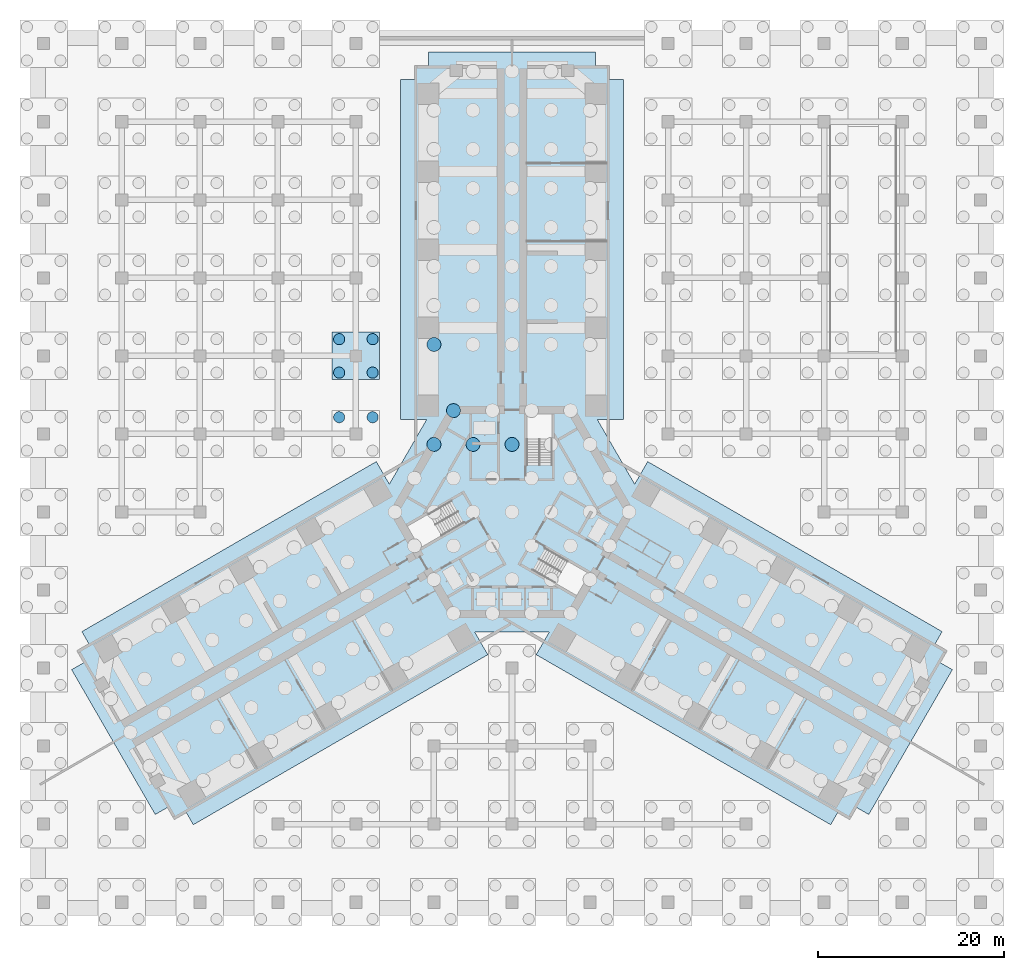
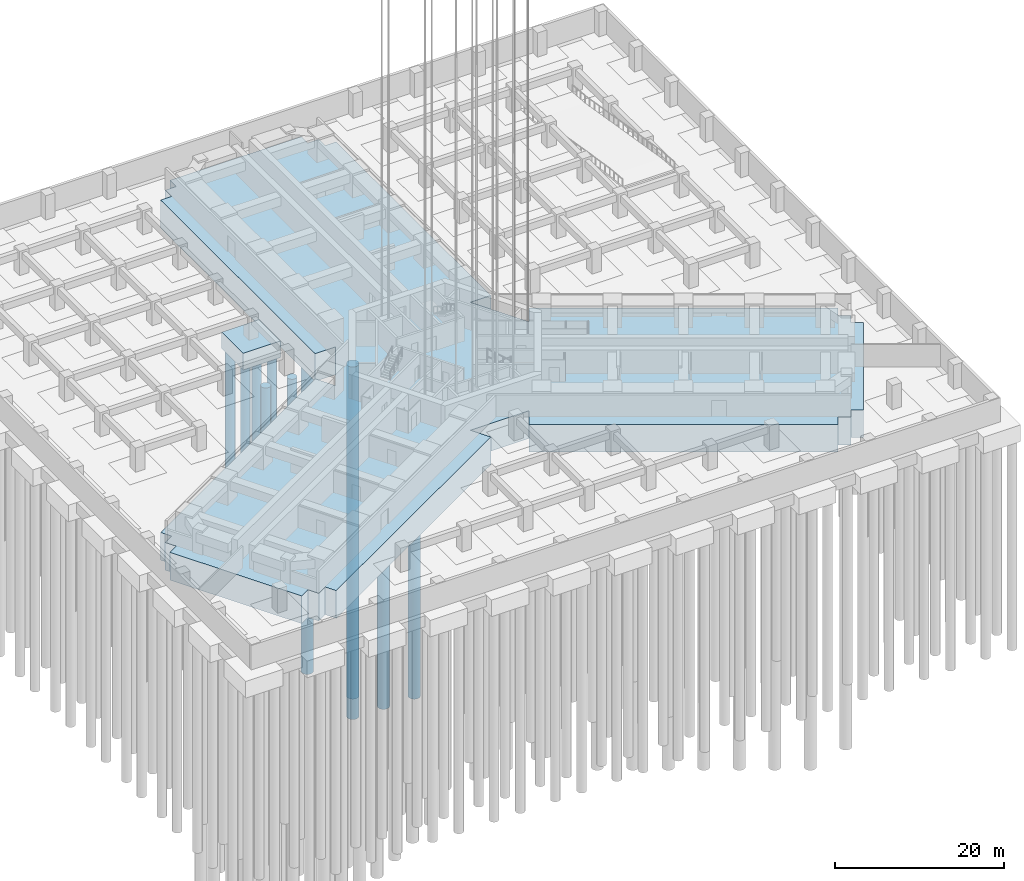
# One storey, part 18 of 73: 11 piles, 2 footings.
"""IFC4 building model written with IfcOpenShell, lengths in metres."""

from ifc_helpers import new_model, si_unit, direction, frame, origin, origin_2d, place, context, subcontext, project, spatial, polyline, circle, outline, extrude, material, material_profile, profile_set, type_object, element, save


model = new_model("IFC4")

# Units and contexts
model_context = context("Model", 3, precision=1e-05, world=origin(), true_north=direction((0.0, 1.0)))
body_context = subcontext(model_context, "Body", "Model", "MODEL_VIEW")
ifc_project = project(units=[si_unit("LENGTHUNIT", "METRE"), si_unit("AREAUNIT", "SQUARE_METRE"), si_unit("VOLUMEUNIT", "CUBIC_METRE"), si_unit("PLANEANGLEUNIT", "RADIAN"), si_unit("MASSUNIT", "GRAM", prefix="KILO")], contexts=[model_context])

# Site, building, storey
site_placement = place(None, origin())
site = spatial("IfcSite", under=ifc_project, at=site_placement, CompositionType="ELEMENT")
building_placement = place(site_placement, origin())
building = spatial("IfcBuilding", under=site, at=building_placement, Name="Impinga Residences", CompositionType="ELEMENT")
storey_placement = place(building_placement, frame((0.0, 0.0, -10.5)))
storey = spatial("IfcBuildingStorey", under=building, at=storey_placement, Name="B3", CompositionType="ELEMENT", Elevation=-10.5)

# Piles
ifc_material_1 = material(Name="Concrete C35/45", Category="concrete")
ifc_material_profile_1 = material_profile(ifc_material_1, circle(Radius=0.75, at=origin_2d()), Name="D1500")
ifc_profile_set_1 = profile_set([ifc_material_profile_1], Name="Concrete C35/45")
pile_type_1 = type_object("IfcPileType", Name="BP1 bored pile D1500", PredefinedType="BORED", material=ifc_profile_set_1)
pile_1_placement = place(storey_placement, frame((-8.39990234375, 7.274658203125, -4.0), z_axis=(0.0, 0.0, -1.0), x_axis=(1.0, 0.0, 0.0)))
element("IfcPile", 1, at=pile_1_placement, inside=storey, type_object=pile_type_1, Name="Raft pile BP1-105", PredefinedType="BORED", context=body_context, shape_type="SweptSolid", body=[
    extrude(outline(polyline([(0.75, 0.0), (0.746337890625, 0.073486328125), (0.735595703125, 0.146240234375), (0.7177734375, 0.2177734375), (0.69287109375, 0.287109375), (0.661376953125, 0.353515625), (0.62353515625, 0.416748046875), (0.579833984375, 0.475830078125), (0.5302734375, 0.5302734375), (0.475830078125, 0.579833984375), (0.416748046875, 0.62353515625), (0.353515625, 0.661376953125), (0.287109375, 0.69287109375), (0.2177734375, 0.7177734375), (0.146240234375, 0.735595703125), (0.073486328125, 0.746337890625), (0.0, 0.75), (-0.073486328125, 0.746337890625), (-0.146240234375, 0.735595703125), (-0.2177734375, 0.7177734375), (-0.287109375, 0.69287109375), (-0.353515625, 0.661376953125), (-0.416748046875, 0.62353515625), (-0.475830078125, 0.579833984375), (-0.5302734375, 0.5302734375), (-0.579833984375, 0.475830078125), (-0.62353515625, 0.416748046875), (-0.661376953125, 0.353515625), (-0.69287109375, 0.287109375), (-0.7177734375, 0.2177734375), (-0.735595703125, 0.146240234375), (-0.746337890625, 0.073486328125), (-0.75, 0.0), (-0.746337890625, -0.073486328125), (-0.735595703125, -0.146240234375), (-0.7177734375, -0.2177734375), (-0.69287109375, -0.287109375), (-0.661376953125, -0.353515625), (-0.62353515625, -0.416748046875), (-0.579833984375, -0.475830078125), (-0.5302734375, -0.5302734375), (-0.475830078125, -0.579833984375), (-0.416748046875, -0.62353515625), (-0.353515625, -0.661376953125), (-0.287109375, -0.69287109375), (-0.2177734375, -0.7177734375), (-0.146240234375, -0.735595703125), (-0.073486328125, -0.746337890625), (0.0, -0.75), (0.073486328125, -0.746337890625), (0.146240234375, -0.735595703125), (0.2177734375, -0.7177734375), (0.287109375, -0.69287109375), (0.353515625, -0.661376953125), (0.416748046875, -0.62353515625), (0.475830078125, -0.579833984375), (0.5302734375, -0.5302734375), (0.579833984375, -0.475830078125), (0.62353515625, -0.416748046875), (0.661376953125, -0.353515625), (0.69287109375, -0.287109375), (0.7177734375, -0.2177734375), (0.735595703125, -0.146240234375), (0.746337890625, -0.073486328125), (0.75, 0.0)])), origin(), (0.0, 0.0, 1.0), 48.0),
])
pile_2_placement = place(storey_placement, frame((-4.199951171875, 7.274658203125, -4.0), z_axis=(0.0, 0.0, -1.0), x_axis=(1.0, 0.0, 0.0)))
element("IfcPile", 2, at=pile_2_placement, inside=storey, type_object=pile_type_1, Name="Raft pile BP1-106", PredefinedType="BORED", context=body_context, shape_type="SweptSolid", body=[
    extrude(outline(polyline([(0.75, 0.0), (0.746337890625, 0.073486328125), (0.735595703125, 0.146240234375), (0.7177734375, 0.2177734375), (0.69287109375, 0.287109375), (0.661376953125, 0.353515625), (0.62353515625, 0.416748046875), (0.579833984375, 0.475830078125), (0.5302734375, 0.5302734375), (0.475830078125, 0.579833984375), (0.416748046875, 0.62353515625), (0.353515625, 0.661376953125), (0.287109375, 0.69287109375), (0.2177734375, 0.7177734375), (0.146240234375, 0.735595703125), (0.073486328125, 0.746337890625), (0.0, 0.75), (-0.073486328125, 0.746337890625), (-0.146240234375, 0.735595703125), (-0.2177734375, 0.7177734375), (-0.287109375, 0.69287109375), (-0.353515625, 0.661376953125), (-0.416748046875, 0.62353515625), (-0.475830078125, 0.579833984375), (-0.5302734375, 0.5302734375), (-0.579833984375, 0.475830078125), (-0.62353515625, 0.416748046875), (-0.661376953125, 0.353515625), (-0.69287109375, 0.287109375), (-0.7177734375, 0.2177734375), (-0.735595703125, 0.146240234375), (-0.746337890625, 0.073486328125), (-0.75, 0.0), (-0.746337890625, -0.073486328125), (-0.735595703125, -0.146240234375), (-0.7177734375, -0.2177734375), (-0.69287109375, -0.287109375), (-0.661376953125, -0.353515625), (-0.62353515625, -0.416748046875), (-0.579833984375, -0.475830078125), (-0.5302734375, -0.5302734375), (-0.475830078125, -0.579833984375), (-0.416748046875, -0.62353515625), (-0.353515625, -0.661376953125), (-0.287109375, -0.69287109375), (-0.2177734375, -0.7177734375), (-0.146240234375, -0.735595703125), (-0.073486328125, -0.746337890625), (0.0, -0.75), (0.073486328125, -0.746337890625), (0.146240234375, -0.735595703125), (0.2177734375, -0.7177734375), (0.287109375, -0.69287109375), (0.353515625, -0.661376953125), (0.416748046875, -0.62353515625), (0.475830078125, -0.579833984375), (0.5302734375, -0.5302734375), (0.579833984375, -0.475830078125), (0.62353515625, -0.416748046875), (0.661376953125, -0.353515625), (0.69287109375, -0.287109375), (0.7177734375, -0.2177734375), (0.735595703125, -0.146240234375), (0.746337890625, -0.073486328125), (0.75, 0.0)])), origin(), (0.0, 0.0, 1.0), 48.0),
])
pile_3_placement = place(storey_placement, frame((0.0, 7.274658203125, -4.0), z_axis=(0.0, 0.0, -1.0), x_axis=(1.0, 0.0, 0.0)))
element("IfcPile", 3, at=pile_3_placement, inside=storey, type_object=pile_type_1, Name="Raft pile BP1-107", PredefinedType="BORED", context=body_context, shape_type="SweptSolid", body=[
    extrude(outline(polyline([(0.75, 0.0), (0.746337890625, 0.073486328125), (0.735595703125, 0.146240234375), (0.7177734375, 0.2177734375), (0.69287109375, 0.287109375), (0.661376953125, 0.353515625), (0.62353515625, 0.416748046875), (0.579833984375, 0.475830078125), (0.5302734375, 0.5302734375), (0.475830078125, 0.579833984375), (0.416748046875, 0.62353515625), (0.353515625, 0.661376953125), (0.287109375, 0.69287109375), (0.2177734375, 0.7177734375), (0.146240234375, 0.735595703125), (0.073486328125, 0.746337890625), (0.0, 0.75), (-0.073486328125, 0.746337890625), (-0.146240234375, 0.735595703125), (-0.2177734375, 0.7177734375), (-0.287109375, 0.69287109375), (-0.353515625, 0.661376953125), (-0.416748046875, 0.62353515625), (-0.475830078125, 0.579833984375), (-0.5302734375, 0.5302734375), (-0.579833984375, 0.475830078125), (-0.62353515625, 0.416748046875), (-0.661376953125, 0.353515625), (-0.69287109375, 0.287109375), (-0.7177734375, 0.2177734375), (-0.735595703125, 0.146240234375), (-0.746337890625, 0.073486328125), (-0.75, 0.0), (-0.746337890625, -0.073486328125), (-0.735595703125, -0.146240234375), (-0.7177734375, -0.2177734375), (-0.69287109375, -0.287109375), (-0.661376953125, -0.353515625), (-0.62353515625, -0.416748046875), (-0.579833984375, -0.475830078125), (-0.5302734375, -0.5302734375), (-0.475830078125, -0.579833984375), (-0.416748046875, -0.62353515625), (-0.353515625, -0.661376953125), (-0.287109375, -0.69287109375), (-0.2177734375, -0.7177734375), (-0.146240234375, -0.735595703125), (-0.073486328125, -0.746337890625), (0.0, -0.75), (0.073486328125, -0.746337890625), (0.146240234375, -0.735595703125), (0.2177734375, -0.7177734375), (0.287109375, -0.69287109375), (0.353515625, -0.661376953125), (0.416748046875, -0.62353515625), (0.475830078125, -0.579833984375), (0.5302734375, -0.5302734375), (0.579833984375, -0.475830078125), (0.62353515625, -0.416748046875), (0.661376953125, -0.353515625), (0.69287109375, -0.287109375), (0.7177734375, -0.2177734375), (0.735595703125, -0.146240234375), (0.746337890625, -0.073486328125), (0.75, 0.0)])), origin(), (0.0, 0.0, 1.0), 48.0),
])
pile_4_placement = place(storey_placement, frame((-6.300048828125, 10.911865234375, -4.0), z_axis=(0.0, 0.0, -1.0), x_axis=(1.0, 0.0, 0.0)))
element("IfcPile", 4, at=pile_4_placement, inside=storey, type_object=pile_type_1, Name="Raft pile BP1-110", PredefinedType="BORED", context=body_context, shape_type="SweptSolid", body=[
    extrude(outline(polyline([(0.75, 0.0), (0.746337890625, 0.073486328125), (0.735595703125, 0.146240234375), (0.7177734375, 0.2177734375), (0.69287109375, 0.287109375), (0.661376953125, 0.353515625), (0.62353515625, 0.416748046875), (0.579833984375, 0.475830078125), (0.5302734375, 0.5302734375), (0.475830078125, 0.579833984375), (0.416748046875, 0.62353515625), (0.353515625, 0.661376953125), (0.287109375, 0.69287109375), (0.2177734375, 0.7177734375), (0.146240234375, 0.735595703125), (0.073486328125, 0.746337890625), (0.0, 0.75), (-0.073486328125, 0.746337890625), (-0.146240234375, 0.735595703125), (-0.2177734375, 0.7177734375), (-0.287109375, 0.69287109375), (-0.353515625, 0.661376953125), (-0.416748046875, 0.62353515625), (-0.475830078125, 0.579833984375), (-0.5302734375, 0.5302734375), (-0.579833984375, 0.475830078125), (-0.62353515625, 0.416748046875), (-0.661376953125, 0.353515625), (-0.69287109375, 0.287109375), (-0.7177734375, 0.2177734375), (-0.735595703125, 0.146240234375), (-0.746337890625, 0.073486328125), (-0.75, 0.0), (-0.746337890625, -0.073486328125), (-0.735595703125, -0.146240234375), (-0.7177734375, -0.2177734375), (-0.69287109375, -0.287109375), (-0.661376953125, -0.353515625), (-0.62353515625, -0.416748046875), (-0.579833984375, -0.475830078125), (-0.5302734375, -0.5302734375), (-0.475830078125, -0.579833984375), (-0.416748046875, -0.62353515625), (-0.353515625, -0.661376953125), (-0.287109375, -0.69287109375), (-0.2177734375, -0.7177734375), (-0.146240234375, -0.735595703125), (-0.073486328125, -0.746337890625), (0.0, -0.75), (0.073486328125, -0.746337890625), (0.146240234375, -0.735595703125), (0.2177734375, -0.7177734375), (0.287109375, -0.69287109375), (0.353515625, -0.661376953125), (0.416748046875, -0.62353515625), (0.475830078125, -0.579833984375), (0.5302734375, -0.5302734375), (0.579833984375, -0.475830078125), (0.62353515625, -0.416748046875), (0.661376953125, -0.353515625), (0.69287109375, -0.287109375), (0.7177734375, -0.2177734375), (0.735595703125, -0.146240234375), (0.746337890625, -0.073486328125), (0.75, 0.0)])), origin(), (0.0, 0.0, 1.0), 48.0),
])
pile_5_placement = place(storey_placement, frame((-8.39990234375, 18.031494140625, -4.0), z_axis=(0.0, 0.0, -1.0), x_axis=(1.0, 0.0, 0.0)))
element("IfcPile", 5, at=pile_5_placement, inside=storey, type_object=pile_type_1, Name="Raft pile BP1-114", PredefinedType="BORED", context=body_context, shape_type="SweptSolid", body=[
    extrude(outline(polyline([(0.75, 0.0), (0.746337890625, 0.073486328125), (0.735595703125, 0.146240234375), (0.7177734375, 0.2177734375), (0.69287109375, 0.287109375), (0.661376953125, 0.353515625), (0.62353515625, 0.416748046875), (0.579833984375, 0.475830078125), (0.5302734375, 0.5302734375), (0.475830078125, 0.579833984375), (0.416748046875, 0.62353515625), (0.353515625, 0.661376953125), (0.287109375, 0.69287109375), (0.2177734375, 0.7177734375), (0.146240234375, 0.735595703125), (0.073486328125, 0.746337890625), (0.0, 0.75), (-0.073486328125, 0.746337890625), (-0.146240234375, 0.735595703125), (-0.2177734375, 0.7177734375), (-0.287109375, 0.69287109375), (-0.353515625, 0.661376953125), (-0.416748046875, 0.62353515625), (-0.475830078125, 0.579833984375), (-0.5302734375, 0.5302734375), (-0.579833984375, 0.475830078125), (-0.62353515625, 0.416748046875), (-0.661376953125, 0.353515625), (-0.69287109375, 0.287109375), (-0.7177734375, 0.2177734375), (-0.735595703125, 0.146240234375), (-0.746337890625, 0.073486328125), (-0.75, 0.0), (-0.746337890625, -0.073486328125), (-0.735595703125, -0.146240234375), (-0.7177734375, -0.2177734375), (-0.69287109375, -0.287109375), (-0.661376953125, -0.353515625), (-0.62353515625, -0.416748046875), (-0.579833984375, -0.475830078125), (-0.5302734375, -0.5302734375), (-0.475830078125, -0.579833984375), (-0.416748046875, -0.62353515625), (-0.353515625, -0.661376953125), (-0.287109375, -0.69287109375), (-0.2177734375, -0.7177734375), (-0.146240234375, -0.735595703125), (-0.073486328125, -0.746337890625), (0.0, -0.75), (0.073486328125, -0.746337890625), (0.146240234375, -0.735595703125), (0.2177734375, -0.7177734375), (0.287109375, -0.69287109375), (0.353515625, -0.661376953125), (0.416748046875, -0.62353515625), (0.475830078125, -0.579833984375), (0.5302734375, -0.5302734375), (0.579833984375, -0.475830078125), (0.62353515625, -0.416748046875), (0.661376953125, -0.353515625), (0.69287109375, -0.287109375), (0.7177734375, -0.2177734375), (0.735595703125, -0.146240234375), (0.746337890625, -0.073486328125), (0.75, 0.0)])), origin(), (0.0, 0.0, 1.0), 48.0),
])
ifc_material_profile_2 = material_profile(ifc_material_1, circle(Radius=0.60009765625, at=origin_2d()), Name="D1200")
ifc_profile_set_2 = profile_set([ifc_material_profile_2], Name="Concrete C35/45")
pile_type_2 = type_object("IfcPileType", Name="BP2 bored pile D1200", PredefinedType="BORED", material=ifc_profile_set_2)
pile_6_placement = place(storey_placement, frame((-15.0, 10.199951171875, -2.39990234375), z_axis=(0.0, 0.0, -1.0), x_axis=(1.0, 0.0, 0.0)))
element("IfcPile", 6, at=pile_6_placement, inside=storey, type_object=pile_type_2, Name="Cap pile BP2 5/G-3", PredefinedType="BORED", context=body_context, shape_type="SweptSolid", body=[
    extrude(outline(polyline([(0.60009765625, 0.0), (0.59716796875, 0.058837890625), (0.58837890625, 0.116943359375), (0.57421875, 0.174072265625), (0.554443359375, 0.2294921875), (0.529052734375, 0.282958984375), (0.498779296875, 0.333251953125), (0.4638671875, 0.380615234375), (0.42431640625, 0.42431640625), (0.380615234375, 0.4638671875), (0.333251953125, 0.498779296875), (0.282958984375, 0.529052734375), (0.2294921875, 0.554443359375), (0.174072265625, 0.57421875), (0.116943359375, 0.58837890625), (0.058837890625, 0.59716796875), (0.0, 0.60009765625), (-0.058837890625, 0.59716796875), (-0.116943359375, 0.58837890625), (-0.174072265625, 0.57421875), (-0.2294921875, 0.554443359375), (-0.282958984375, 0.529052734375), (-0.333251953125, 0.498779296875), (-0.380615234375, 0.4638671875), (-0.42431640625, 0.42431640625), (-0.4638671875, 0.380615234375), (-0.498779296875, 0.333251953125), (-0.529052734375, 0.282958984375), (-0.554443359375, 0.2294921875), (-0.57421875, 0.174072265625), (-0.58837890625, 0.116943359375), (-0.59716796875, 0.058837890625), (-0.60009765625, 0.0), (-0.59716796875, -0.058837890625), (-0.58837890625, -0.116943359375), (-0.57421875, -0.174072265625), (-0.554443359375, -0.2294921875), (-0.529052734375, -0.282958984375), (-0.498779296875, -0.333251953125), (-0.4638671875, -0.380615234375), (-0.42431640625, -0.42431640625), (-0.380615234375, -0.4638671875), (-0.333251953125, -0.498779296875), (-0.282958984375, -0.529052734375), (-0.2294921875, -0.554443359375), (-0.174072265625, -0.57421875), (-0.116943359375, -0.58837890625), (-0.058837890625, -0.59716796875), (0.0, -0.60009765625), (0.058837890625, -0.59716796875), (0.116943359375, -0.58837890625), (0.174072265625, -0.57421875), (0.2294921875, -0.554443359375), (0.282958984375, -0.529052734375), (0.333251953125, -0.498779296875), (0.380615234375, -0.4638671875), (0.42431640625, -0.42431640625), (0.4638671875, -0.380615234375), (0.498779296875, -0.333251953125), (0.529052734375, -0.282958984375), (0.554443359375, -0.2294921875), (0.57421875, -0.174072265625), (0.58837890625, -0.116943359375), (0.59716796875, -0.058837890625), (0.60009765625, 0.0)])), origin(), (0.0, 0.0, 1.0), 30.0),
])
pile_7_placement = place(storey_placement, frame((-18.60009765625, 10.199951171875, -2.39990234375), z_axis=(0.0, 0.0, -1.0), x_axis=(1.0, 0.0, 0.0)))
element("IfcPile", 7, at=pile_7_placement, inside=storey, type_object=pile_type_2, Name="Cap pile BP2 5/G-4", PredefinedType="BORED", context=body_context, shape_type="SweptSolid", body=[
    extrude(outline(polyline([(0.60009765625, 0.0), (0.59716796875, 0.058837890625), (0.58837890625, 0.116943359375), (0.57421875, 0.174072265625), (0.554443359375, 0.2294921875), (0.529052734375, 0.282958984375), (0.498779296875, 0.333251953125), (0.4638671875, 0.380615234375), (0.42431640625, 0.42431640625), (0.380615234375, 0.4638671875), (0.333251953125, 0.498779296875), (0.282958984375, 0.529052734375), (0.2294921875, 0.554443359375), (0.174072265625, 0.57421875), (0.116943359375, 0.58837890625), (0.058837890625, 0.59716796875), (0.0, 0.60009765625), (-0.058837890625, 0.59716796875), (-0.116943359375, 0.58837890625), (-0.174072265625, 0.57421875), (-0.2294921875, 0.554443359375), (-0.282958984375, 0.529052734375), (-0.333251953125, 0.498779296875), (-0.380615234375, 0.4638671875), (-0.42431640625, 0.42431640625), (-0.4638671875, 0.380615234375), (-0.498779296875, 0.333251953125), (-0.529052734375, 0.282958984375), (-0.554443359375, 0.2294921875), (-0.57421875, 0.174072265625), (-0.58837890625, 0.116943359375), (-0.59716796875, 0.058837890625), (-0.60009765625, 0.0), (-0.59716796875, -0.058837890625), (-0.58837890625, -0.116943359375), (-0.57421875, -0.174072265625), (-0.554443359375, -0.2294921875), (-0.529052734375, -0.282958984375), (-0.498779296875, -0.333251953125), (-0.4638671875, -0.380615234375), (-0.42431640625, -0.42431640625), (-0.380615234375, -0.4638671875), (-0.333251953125, -0.498779296875), (-0.282958984375, -0.529052734375), (-0.2294921875, -0.554443359375), (-0.174072265625, -0.57421875), (-0.116943359375, -0.58837890625), (-0.058837890625, -0.59716796875), (0.0, -0.60009765625), (0.058837890625, -0.59716796875), (0.116943359375, -0.58837890625), (0.174072265625, -0.57421875), (0.2294921875, -0.554443359375), (0.282958984375, -0.529052734375), (0.333251953125, -0.498779296875), (0.380615234375, -0.4638671875), (0.42431640625, -0.42431640625), (0.4638671875, -0.380615234375), (0.498779296875, -0.333251953125), (0.529052734375, -0.282958984375), (0.554443359375, -0.2294921875), (0.57421875, -0.174072265625), (0.58837890625, -0.116943359375), (0.59716796875, -0.058837890625), (0.60009765625, 0.0)])), origin(), (0.0, 0.0, 1.0), 30.0),
])
pile_8_placement = place(storey_placement, frame((-18.60009765625, 15.0, -2.39990234375), z_axis=(0.0, 0.0, -1.0), x_axis=(1.0, 0.0, 0.0)))
element("IfcPile", 8, at=pile_8_placement, inside=storey, type_object=pile_type_2, Name="Cap pile BP2 5/H-1", PredefinedType="BORED", context=body_context, shape_type="SweptSolid", body=[
    extrude(outline(polyline([(0.60009765625, 0.0), (0.59716796875, 0.058837890625), (0.58837890625, 0.116943359375), (0.57421875, 0.174072265625), (0.554443359375, 0.2294921875), (0.529052734375, 0.282958984375), (0.498779296875, 0.333251953125), (0.4638671875, 0.380615234375), (0.42431640625, 0.42431640625), (0.380615234375, 0.4638671875), (0.333251953125, 0.498779296875), (0.282958984375, 0.529052734375), (0.2294921875, 0.554443359375), (0.174072265625, 0.57421875), (0.116943359375, 0.58837890625), (0.058837890625, 0.59716796875), (0.0, 0.60009765625), (-0.058837890625, 0.59716796875), (-0.116943359375, 0.58837890625), (-0.174072265625, 0.57421875), (-0.2294921875, 0.554443359375), (-0.282958984375, 0.529052734375), (-0.333251953125, 0.498779296875), (-0.380615234375, 0.4638671875), (-0.42431640625, 0.42431640625), (-0.4638671875, 0.380615234375), (-0.498779296875, 0.333251953125), (-0.529052734375, 0.282958984375), (-0.554443359375, 0.2294921875), (-0.57421875, 0.174072265625), (-0.58837890625, 0.116943359375), (-0.59716796875, 0.058837890625), (-0.60009765625, 0.0), (-0.59716796875, -0.058837890625), (-0.58837890625, -0.116943359375), (-0.57421875, -0.174072265625), (-0.554443359375, -0.2294921875), (-0.529052734375, -0.282958984375), (-0.498779296875, -0.333251953125), (-0.4638671875, -0.380615234375), (-0.42431640625, -0.42431640625), (-0.380615234375, -0.4638671875), (-0.333251953125, -0.498779296875), (-0.282958984375, -0.529052734375), (-0.2294921875, -0.554443359375), (-0.174072265625, -0.57421875), (-0.116943359375, -0.58837890625), (-0.058837890625, -0.59716796875), (0.0, -0.60009765625), (0.058837890625, -0.59716796875), (0.116943359375, -0.58837890625), (0.174072265625, -0.57421875), (0.2294921875, -0.554443359375), (0.282958984375, -0.529052734375), (0.333251953125, -0.498779296875), (0.380615234375, -0.4638671875), (0.42431640625, -0.42431640625), (0.4638671875, -0.380615234375), (0.498779296875, -0.333251953125), (0.529052734375, -0.282958984375), (0.554443359375, -0.2294921875), (0.57421875, -0.174072265625), (0.58837890625, -0.116943359375), (0.59716796875, -0.058837890625), (0.60009765625, 0.0)])), origin(), (0.0, 0.0, 1.0), 30.0),
])
pile_9_placement = place(storey_placement, frame((-15.0, 15.0, -2.39990234375), z_axis=(0.0, 0.0, -1.0), x_axis=(1.0, 0.0, 0.0)))
element("IfcPile", 9, at=pile_9_placement, inside=storey, type_object=pile_type_2, Name="Cap pile BP2 5/H-2", PredefinedType="BORED", context=body_context, shape_type="SweptSolid", body=[
    extrude(outline(polyline([(0.60009765625, 0.0), (0.59716796875, 0.058837890625), (0.58837890625, 0.116943359375), (0.57421875, 0.174072265625), (0.554443359375, 0.2294921875), (0.529052734375, 0.282958984375), (0.498779296875, 0.333251953125), (0.4638671875, 0.380615234375), (0.42431640625, 0.42431640625), (0.380615234375, 0.4638671875), (0.333251953125, 0.498779296875), (0.282958984375, 0.529052734375), (0.2294921875, 0.554443359375), (0.174072265625, 0.57421875), (0.116943359375, 0.58837890625), (0.058837890625, 0.59716796875), (0.0, 0.60009765625), (-0.058837890625, 0.59716796875), (-0.116943359375, 0.58837890625), (-0.174072265625, 0.57421875), (-0.2294921875, 0.554443359375), (-0.282958984375, 0.529052734375), (-0.333251953125, 0.498779296875), (-0.380615234375, 0.4638671875), (-0.42431640625, 0.42431640625), (-0.4638671875, 0.380615234375), (-0.498779296875, 0.333251953125), (-0.529052734375, 0.282958984375), (-0.554443359375, 0.2294921875), (-0.57421875, 0.174072265625), (-0.58837890625, 0.116943359375), (-0.59716796875, 0.058837890625), (-0.60009765625, 0.0), (-0.59716796875, -0.058837890625), (-0.58837890625, -0.116943359375), (-0.57421875, -0.174072265625), (-0.554443359375, -0.2294921875), (-0.529052734375, -0.282958984375), (-0.498779296875, -0.333251953125), (-0.4638671875, -0.380615234375), (-0.42431640625, -0.42431640625), (-0.380615234375, -0.4638671875), (-0.333251953125, -0.498779296875), (-0.282958984375, -0.529052734375), (-0.2294921875, -0.554443359375), (-0.174072265625, -0.57421875), (-0.116943359375, -0.58837890625), (-0.058837890625, -0.59716796875), (0.0, -0.60009765625), (0.058837890625, -0.59716796875), (0.116943359375, -0.58837890625), (0.174072265625, -0.57421875), (0.2294921875, -0.554443359375), (0.282958984375, -0.529052734375), (0.333251953125, -0.498779296875), (0.380615234375, -0.4638671875), (0.42431640625, -0.42431640625), (0.4638671875, -0.380615234375), (0.498779296875, -0.333251953125), (0.529052734375, -0.282958984375), (0.554443359375, -0.2294921875), (0.57421875, -0.174072265625), (0.58837890625, -0.116943359375), (0.59716796875, -0.058837890625), (0.60009765625, 0.0)])), origin(), (0.0, 0.0, 1.0), 30.0),
])
pile_10_placement = place(storey_placement, frame((-15.0, 18.60009765625, -2.39990234375), z_axis=(0.0, 0.0, -1.0), x_axis=(1.0, 0.0, 0.0)))
element("IfcPile", 10, at=pile_10_placement, inside=storey, type_object=pile_type_2, Name="Cap pile BP2 5/H-3", PredefinedType="BORED", context=body_context, shape_type="SweptSolid", body=[
    extrude(outline(polyline([(0.60009765625, 0.0), (0.59716796875, 0.058837890625), (0.58837890625, 0.116943359375), (0.57421875, 0.174072265625), (0.554443359375, 0.2294921875), (0.529052734375, 0.282958984375), (0.498779296875, 0.333251953125), (0.4638671875, 0.380615234375), (0.42431640625, 0.42431640625), (0.380615234375, 0.4638671875), (0.333251953125, 0.498779296875), (0.282958984375, 0.529052734375), (0.2294921875, 0.554443359375), (0.174072265625, 0.57421875), (0.116943359375, 0.58837890625), (0.058837890625, 0.59716796875), (0.0, 0.60009765625), (-0.058837890625, 0.59716796875), (-0.116943359375, 0.58837890625), (-0.174072265625, 0.57421875), (-0.2294921875, 0.554443359375), (-0.282958984375, 0.529052734375), (-0.333251953125, 0.498779296875), (-0.380615234375, 0.4638671875), (-0.42431640625, 0.42431640625), (-0.4638671875, 0.380615234375), (-0.498779296875, 0.333251953125), (-0.529052734375, 0.282958984375), (-0.554443359375, 0.2294921875), (-0.57421875, 0.174072265625), (-0.58837890625, 0.116943359375), (-0.59716796875, 0.058837890625), (-0.60009765625, 0.0), (-0.59716796875, -0.058837890625), (-0.58837890625, -0.116943359375), (-0.57421875, -0.174072265625), (-0.554443359375, -0.2294921875), (-0.529052734375, -0.282958984375), (-0.498779296875, -0.333251953125), (-0.4638671875, -0.380615234375), (-0.42431640625, -0.42431640625), (-0.380615234375, -0.4638671875), (-0.333251953125, -0.498779296875), (-0.282958984375, -0.529052734375), (-0.2294921875, -0.554443359375), (-0.174072265625, -0.57421875), (-0.116943359375, -0.58837890625), (-0.058837890625, -0.59716796875), (0.0, -0.60009765625), (0.058837890625, -0.59716796875), (0.116943359375, -0.58837890625), (0.174072265625, -0.57421875), (0.2294921875, -0.554443359375), (0.282958984375, -0.529052734375), (0.333251953125, -0.498779296875), (0.380615234375, -0.4638671875), (0.42431640625, -0.42431640625), (0.4638671875, -0.380615234375), (0.498779296875, -0.333251953125), (0.529052734375, -0.282958984375), (0.554443359375, -0.2294921875), (0.57421875, -0.174072265625), (0.58837890625, -0.116943359375), (0.59716796875, -0.058837890625), (0.60009765625, 0.0)])), origin(), (0.0, 0.0, 1.0), 30.0),
])
pile_11_placement = place(storey_placement, frame((-18.60009765625, 18.60009765625, -2.39990234375), z_axis=(0.0, 0.0, -1.0), x_axis=(1.0, 0.0, 0.0)))
element("IfcPile", 11, at=pile_11_placement, inside=storey, type_object=pile_type_2, Name="Cap pile BP2 5/H-4", PredefinedType="BORED", context=body_context, shape_type="SweptSolid", body=[
    extrude(outline(polyline([(0.60009765625, 0.0), (0.59716796875, 0.058837890625), (0.58837890625, 0.116943359375), (0.57421875, 0.174072265625), (0.554443359375, 0.2294921875), (0.529052734375, 0.282958984375), (0.498779296875, 0.333251953125), (0.4638671875, 0.380615234375), (0.42431640625, 0.42431640625), (0.380615234375, 0.4638671875), (0.333251953125, 0.498779296875), (0.282958984375, 0.529052734375), (0.2294921875, 0.554443359375), (0.174072265625, 0.57421875), (0.116943359375, 0.58837890625), (0.058837890625, 0.59716796875), (0.0, 0.60009765625), (-0.058837890625, 0.59716796875), (-0.116943359375, 0.58837890625), (-0.174072265625, 0.57421875), (-0.2294921875, 0.554443359375), (-0.282958984375, 0.529052734375), (-0.333251953125, 0.498779296875), (-0.380615234375, 0.4638671875), (-0.42431640625, 0.42431640625), (-0.4638671875, 0.380615234375), (-0.498779296875, 0.333251953125), (-0.529052734375, 0.282958984375), (-0.554443359375, 0.2294921875), (-0.57421875, 0.174072265625), (-0.58837890625, 0.116943359375), (-0.59716796875, 0.058837890625), (-0.60009765625, 0.0), (-0.59716796875, -0.058837890625), (-0.58837890625, -0.116943359375), (-0.57421875, -0.174072265625), (-0.554443359375, -0.2294921875), (-0.529052734375, -0.282958984375), (-0.498779296875, -0.333251953125), (-0.4638671875, -0.380615234375), (-0.42431640625, -0.42431640625), (-0.380615234375, -0.4638671875), (-0.333251953125, -0.498779296875), (-0.282958984375, -0.529052734375), (-0.2294921875, -0.554443359375), (-0.174072265625, -0.57421875), (-0.116943359375, -0.58837890625), (-0.058837890625, -0.59716796875), (0.0, -0.60009765625), (0.058837890625, -0.59716796875), (0.116943359375, -0.58837890625), (0.174072265625, -0.57421875), (0.2294921875, -0.554443359375), (0.282958984375, -0.529052734375), (0.333251953125, -0.498779296875), (0.380615234375, -0.4638671875), (0.42431640625, -0.42431640625), (0.4638671875, -0.380615234375), (0.498779296875, -0.333251953125), (0.529052734375, -0.282958984375), (0.554443359375, -0.2294921875), (0.57421875, -0.174072265625), (0.58837890625, -0.116943359375), (0.59716796875, -0.058837890625), (0.60009765625, 0.0)])), origin(), (0.0, 0.0, 1.0), 30.0),
])

# Footings
ifc_material_2 = material(Name="Concrete C45/55", Category="concrete")
footing_type_1 = type_object("IfcFootingType", Name="PC4 four-pile cap 5100 square 2400 deep", PredefinedType="PILE_CAP", material=ifc_material_2)
footing_1_placement = place(storey_placement, frame((0.0, 0.0, -2.39990234375)))
element("IfcFooting", 12, at=footing_1_placement, inside=storey, type_object=footing_type_1, Name="Pile cap PC4 5/H", PredefinedType="PILE_CAP", context=body_context, shape_type="SweptSolid", body=[
    extrude(outline(polyline([(-14.25, 14.25), (-14.25, 19.35009765625), (-19.35009765625, 19.35009765625), (-19.35009765625, 14.25), (-14.25, 14.25)])), origin(), (0.0, 0.0, 1.0), 2.39990234375),
])
footing_type_2 = type_object("IfcFootingType", Name="PR1 piled raft 4000", PredefinedType="PILE_CAP", material=ifc_material_2)
footing_2_placement = place(storey_placement, frame((0.0, 0.0, -4.0)))
element("IfcFooting", 13, at=footing_2_placement, inside=storey, type_object=footing_type_2, Name="Piled raft PR1", PredefinedType="PILE_CAP", context=body_context, shape_type="SweptSolid", body=[
    extrude(outline(polyline([(-46.096435546875, -16.221435546875), (-46.846435546875, -14.922607421875), (-45.547607421875, -14.172607421875), (-46.297607421875, -12.87353515625), (-14.60107421875, 5.426513671875), (-13.199951171875, 3.0), (-9.197998046875, 9.931640625), (-12.0, 9.931640625), (-12.0, 46.531494140625), (-10.5, 46.531494140625), (-10.5, 48.031494140625), (-9.0, 48.031494140625), (-9.0, 49.531494140625), (9.0, 49.531494140625), (9.0, 48.031494140625), (10.5, 48.031494140625), (10.5, 46.531494140625), (12.0, 46.531494140625), (12.0, 9.931640625), (9.197998046875, 9.931640625), (13.199951171875, 3.0), (14.60107421875, 5.426513671875), (46.297607421875, -12.87353515625), (45.547607421875, -14.172607421875), (46.846435546875, -14.922607421875), (46.096435546875, -16.221435546875), (47.3955078125, -16.971435546875), (38.3955078125, -32.56005859375), (37.096435546875, -31.81005859375), (36.346435546875, -33.109130859375), (35.047607421875, -32.359130859375), (34.297607421875, -33.657958984375), (2.60107421875, -15.358154296875), (4.001953125, -12.931640625), (-4.001953125, -12.931640625), (-2.60107421875, -15.358154296875), (-34.297607421875, -33.657958984375), (-35.047607421875, -32.359130859375), (-36.346435546875, -33.109130859375), (-37.096435546875, -31.81005859375), (-38.3955078125, -32.56005859375), (-47.3955078125, -16.971435546875), (-46.096435546875, -16.221435546875)])), origin(), (0.0, 0.0, 1.0), 4.0),
])

save(model, "model.ifc")
